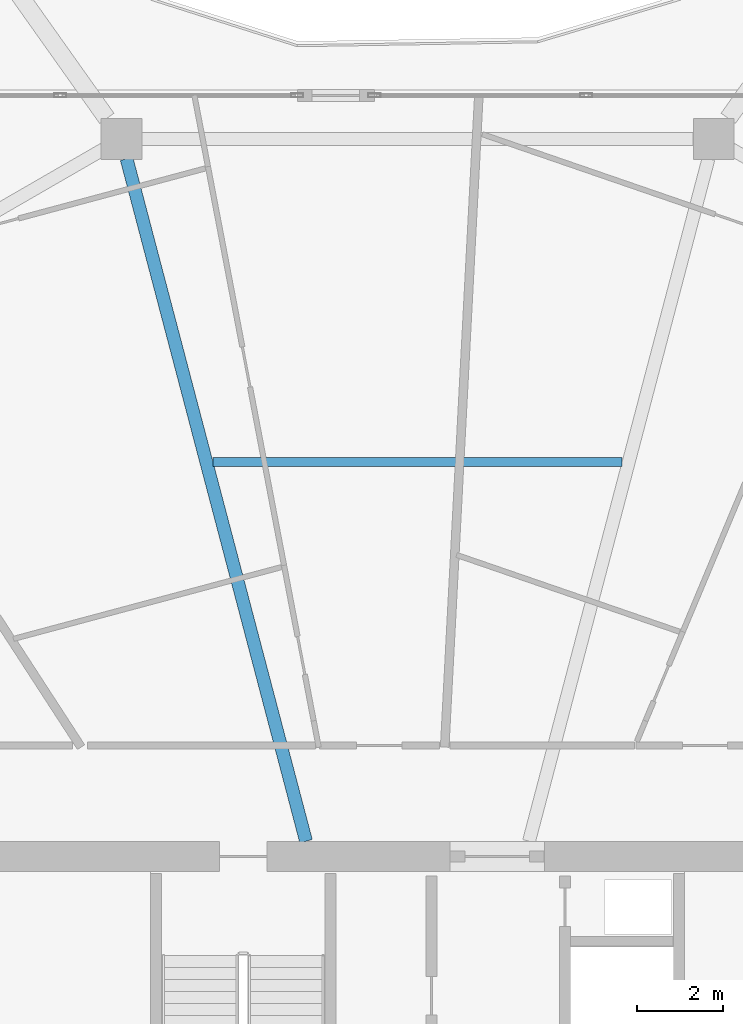
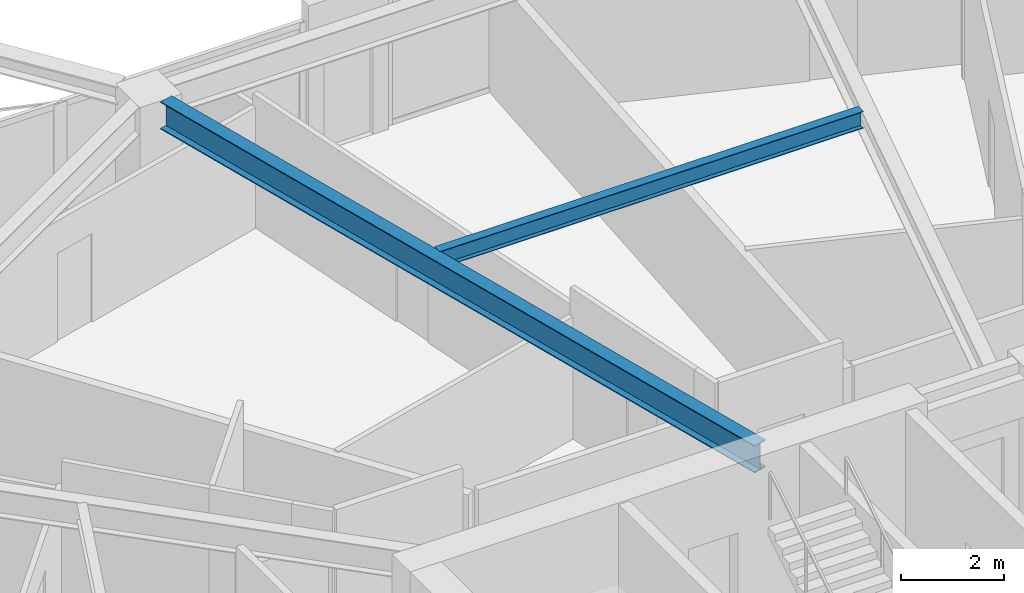
# One storey, part 13 of 27: 2 beams.
"""IFC4 building model written with IfcOpenShell, lengths in metres."""

from ifc_helpers import new_model, si_unit, direction, frame, origin, origin_2d, place, context, subcontext, project, spatial, i_section, extrude, material, material_profile, profile_set, type_object, element, save


model = new_model("IFC4")

# Units and contexts
model_context = context("Model", 3, precision=1e-05, world=origin(), true_north=direction((0.0, 1.0)))
body_context = subcontext(model_context, "Body", "Model", "MODEL_VIEW")
ifc_project = project(units=[si_unit("LENGTHUNIT", "METRE"), si_unit("AREAUNIT", "SQUARE_METRE"), si_unit("VOLUMEUNIT", "CUBIC_METRE"), si_unit("PLANEANGLEUNIT", "RADIAN"), si_unit("MASSUNIT", "GRAM", prefix="KILO")], contexts=[model_context])

# Site, building, storey
site_placement = place(None, origin())
site = spatial("IfcSite", under=ifc_project, at=site_placement, CompositionType="ELEMENT")
building_placement = place(site_placement, origin())
building = spatial("IfcBuilding", under=site, at=building_placement, Name="Zuhravey Tower", CompositionType="ELEMENT")
storey_placement = place(building_placement, frame((0.0, 0.0, 218.800048828125)))
storey = spatial("IfcBuildingStorey", under=building, at=storey_placement, Name="L55", CompositionType="ELEMENT", Elevation=218.800048828125)

# Beams
ifc_material = material(Name="Steel SM355", Category="steel")
ifc_material_profile_1 = material_profile(ifc_material, i_section(OverallWidth=0.300048828125, OverallDepth=0.64990234375, WebThickness=0.012939453125, FlangeThickness=0.02197265625, at=origin_2d()), Name="H-650x300x13x22")
ifc_profile_set_1 = profile_set([ifc_material_profile_1], Name="Steel SM355")
beam_type_1 = type_object("IfcBeamType", Name="Radial Primary Girder H650x300", PredefinedType="BEAM", material=ifc_profile_set_1)
beam_1_placement = place(storey_placement, frame((33.4091796875, 41.85302734375, 3.224853515625), z_axis=(-0.254299806285, 0.967125435775, 0.0), x_axis=(-0.967125435775, -0.254299806285, 0.0)))
element("IfcBeam", 1, at=beam_1_placement, inside=storey, type_object=beam_type_1, Name="L55 RG2 BM-L55-RAD-04", PredefinedType="BEAM", context=body_context, shape_type="SweptSolid", body=[
    extrude(i_section(OverallWidth=0.300048828125, OverallDepth=0.64990234375, WebThickness=0.012939453125, FlangeThickness=0.02197265625, at=origin_2d()), origin(), (0.0, 0.0, 1.0), 16.396728515625),
])
ifc_material_profile_2 = material_profile(ifc_material, i_section(OverallWidth=0.199951171875, OverallDepth=0.39990234375, WebThickness=0.008056640625, FlangeThickness=0.012939453125, at=origin_2d()), Name="H-400x200x8x13")
ifc_profile_set_2 = profile_set([ifc_material_profile_2], Name="Steel SM355")
beam_type_2 = type_object("IfcBeamType", Name="Secondary Floor Joist H400x200", PredefinedType="JOIST", material=ifc_profile_set_2)
beam_2_placement = place(storey_placement, frame((40.754150390625, 50.665771484375, 3.349853515625), z_axis=(-1.0, 0.0, 0.0), x_axis=(0.0, -1.0, 0.0)))
element("IfcBeam", 2, at=beam_2_placement, inside=storey, type_object=beam_type_2, Name="L55 SJ2 BM-L55-SJ-03-1", PredefinedType="JOIST", context=body_context, shape_type="SweptSolid", body=[
    extrude(i_section(OverallWidth=0.199951171875, OverallDepth=0.39990234375, WebThickness=0.008056640625, FlangeThickness=0.012939453125, at=origin_2d()), origin(), (0.0, 0.0, 1.0), 9.50830078125),
])

save(model, "model.ifc")
